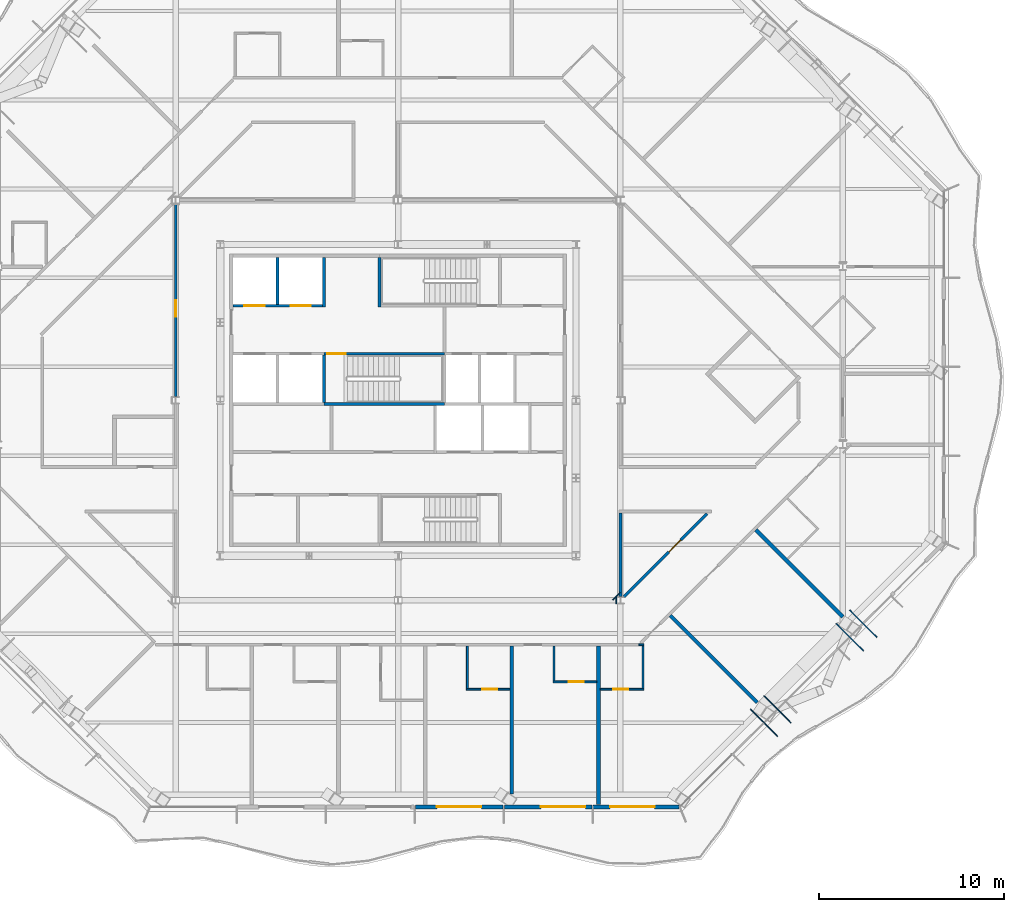
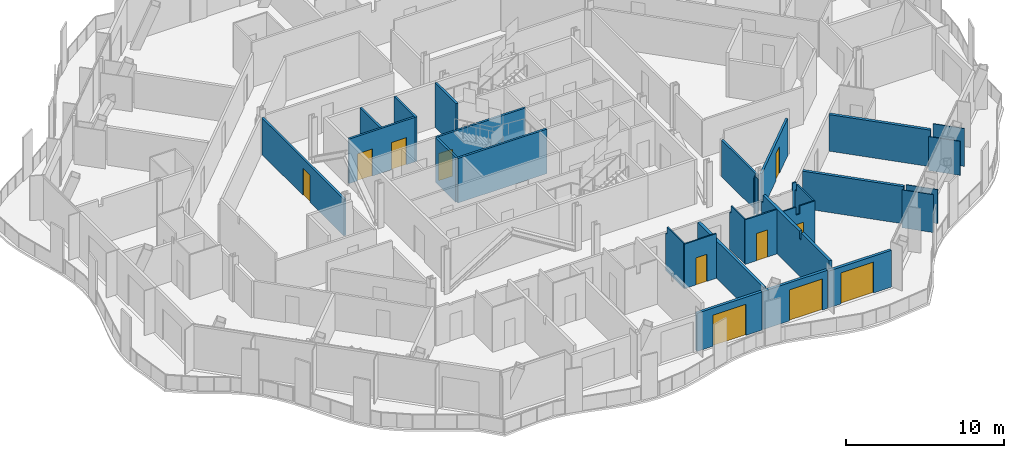
# One storey, part 9 of 21: 30 walls, 11 doors, 11 openings.
"""IFC4 building model written with IfcOpenShell, lengths in metres."""

from ifc_helpers import new_model, si_unit, direction, frame, frame_2d, origin, place, context, subcontext, project, spatial, polyline, rectangle, outline, extrude, material, layer, layer_set, type_object, element, fill, save


model = new_model("IFC4")

# Units and contexts
model_context = context("Model", 3, precision=1e-05, world=origin(), true_north=direction((0.0, 1.0)))
body_context = subcontext(model_context, "Body", "Model", "MODEL_VIEW")
ifc_project = project(units=[si_unit("LENGTHUNIT", "METRE"), si_unit("AREAUNIT", "SQUARE_METRE"), si_unit("VOLUMEUNIT", "CUBIC_METRE"), si_unit("PLANEANGLEUNIT", "RADIAN"), si_unit("MASSUNIT", "GRAM", prefix="KILO")], contexts=[model_context])

# Site, building, storey
site_placement = place(None, origin())
site = spatial("IfcSite", under=ifc_project, at=site_placement, CompositionType="ELEMENT")
building_placement = place(site_placement, origin())
building = spatial("IfcBuilding", under=site, at=building_placement, Name="Cairn Pilgrim Tower", CompositionType="ELEMENT")
storey_placement = place(building_placement, frame((0.0, 0.0, 179.39990234375)))
storey = spatial("IfcBuildingStorey", under=building, at=storey_placement, Name="L45", CompositionType="ELEMENT", Elevation=179.39990234375)

# Wall, opening, door
ifc_material_1 = material(Name="Bronze anodised aluminium insulated sandwich panel with mineral wool fill", Category="aluminium")
ifc_layer_1 = layer(ifc_material_1, 0.199951171875)
ifc_layer_set_1 = layer_set([ifc_layer_1], Name="BRONZE INFILL FRAME WALL 200")
wall_type_1 = type_object("IfcWallType", Name="BRONZE INFILL FRAME WALL 200", PredefinedType="NOTDEFINED", material=ifc_layer_set_1)
wall_1_placement = place(storey_placement, frame((8.1298828125, -19.550048828125, 0.0), z_axis=(0.0, 0.0, 1.0), x_axis=(1.0, 0.0, 0.0)))
wall_1 = element("IfcWall", 1, at=wall_1_placement, inside=storey, type_object=wall_type_1, Name="Bronze infill frame wall IW-S4", PredefinedType="NOTDEFINED", context=body_context, shape_type="SweptSolid", body=[
    extrude(rectangle(XDim=4.740234375, YDim=0.199951171875, at=frame_2d((2.3701171875, 0.0))), origin(), (0.0, 0.0, 1.0), 2.9501953125),
])
opening_1_placement = place(wall_1_placement, frame((1.16943359375, 0.0, 0.0)))
opening_1 = element("IfcOpeningElement", 2, at=opening_1_placement, cuts=wall_1, Name="Opening 4501B", PredefinedType="OPENING", context=body_context, shape_type="SweptSolid", body=[
    extrude(rectangle(XDim=2.39990234375, YDim=2.39990234375, at=frame_2d((1.199951171875, 1.199951171875))), frame((0.0, 0.10986328125, 0.0), z_axis=(0.0, -1.0, 0.0), x_axis=(1.0, 0.0, 0.0)), (0.0, 0.0, 1.0), 0.219970703125),
])
ifc_material_2 = material(Name="Bronze anodised aluminium frame with tinted low-E glass", Category="aluminium")
door_type_1 = type_object("IfcDoorType", Name="BALCONY SLIDING DOOR 2400x2400", OperationType="DOUBLE_DOOR_SLIDING", PredefinedType="DOOR", material=ifc_material_2)
door_1_placement = place(opening_1_placement, origin())
door_1 = element("IfcDoor", 3, at=door_1_placement, inside=storey, type_object=door_type_1, Name="Balcony sliding door 4501B", OperationType="SINGLE_SWING_LEFT", OverallHeight=2.39990234375, OverallWidth=2.39990234375, PredefinedType="DOOR", context=body_context, shape_type="SweptSolid", body=[
    extrude(rectangle(XDim=2.39990234375, YDim=2.39990234375, at=frame_2d((1.199951171875, 1.199951171875))), frame((0.0, 0.02490234375, 0.0), z_axis=(0.0, -1.0, 0.0), x_axis=(1.0, 0.0, 0.0)), (0.0, 0.0, 1.0), 0.050048828125),
])
fill(opening_1, door_1)

wall_2_placement = place(storey_placement, frame((12.929931640625, -19.550048828125, 0.0), z_axis=(0.0, 0.0, 1.0), x_axis=(1.0, 0.0, 0.0)))
wall_2 = element("IfcWall", 4, at=wall_2_placement, inside=storey, type_object=wall_type_1, Name="Bronze infill frame wall IW-S5", PredefinedType="NOTDEFINED", context=body_context, shape_type="SweptSolid", body=[
    extrude(rectangle(XDim=4.739990234375, YDim=0.199951171875, at=frame_2d((2.3701171875, 0.0))), origin(), (0.0, 0.0, 1.0), 2.9501953125),
])
opening_2_placement = place(wall_2_placement, frame((1.97021484375, 0.0, 0.0)))
opening_2 = element("IfcOpeningElement", 5, at=opening_2_placement, cuts=wall_2, Name="Opening 4502B", PredefinedType="OPENING", context=body_context, shape_type="SweptSolid", body=[
    extrude(rectangle(XDim=2.39990234375, YDim=2.39990234375, at=frame_2d((1.199951171875, 1.199951171875))), frame((0.0, 0.10986328125, 0.0), z_axis=(0.0, -1.0, 0.0), x_axis=(1.0, 0.0, 0.0)), (0.0, 0.0, 1.0), 0.219970703125),
])
door_2_placement = place(opening_2_placement, origin())
door_2 = element("IfcDoor", 6, at=door_2_placement, inside=storey, type_object=door_type_1, Name="Balcony sliding door 4502B", OperationType="SINGLE_SWING_LEFT", OverallHeight=2.39990234375, OverallWidth=2.39990234375, PredefinedType="DOOR", context=body_context, shape_type="SweptSolid", body=[
    extrude(rectangle(XDim=2.39990234375, YDim=2.39990234375, at=frame_2d((1.199951171875, 1.199951171875))), frame((0.0, 0.02490234375, 0.0), z_axis=(0.0, -1.0, 0.0), x_axis=(1.0, 0.0, 0.0)), (0.0, 0.0, 1.0), 0.050048828125),
])
fill(opening_2, door_2)

wall_3_placement = place(storey_placement, frame((17.72998046875, -19.550048828125, 0.0), z_axis=(0.0, 0.0, 1.0), x_axis=(1.0, 0.0, 0.0)))
wall_3 = element("IfcWall", 7, at=wall_3_placement, inside=storey, type_object=wall_type_1, Name="Bronze infill frame wall IW-S6", PredefinedType="NOTDEFINED", context=body_context, shape_type="SweptSolid", body=[
    extrude(rectangle(XDim=4.62646484375, YDim=0.199951171875, at=frame_2d((2.313232421875, 0.0))), origin(), (0.0, 0.0, 1.0), 2.85009765625),
])
opening_3_placement = place(wall_3_placement, frame((0.91796875, 0.0, 0.0)))
opening_3 = element("IfcOpeningElement", 8, at=opening_3_placement, cuts=wall_3, Name="Opening 4503B", PredefinedType="OPENING", context=body_context, shape_type="SweptSolid", body=[
    extrude(rectangle(XDim=2.39990234375, YDim=2.39990234375, at=frame_2d((1.199951171875, 1.199951171875))), frame((0.0, 0.10986328125, 0.0), z_axis=(0.0, -1.0, 0.0), x_axis=(1.0, 0.0, 0.0)), (0.0, 0.0, 1.0), 0.219970703125),
])
door_3_placement = place(opening_3_placement, origin())
door_3 = element("IfcDoor", 9, at=door_3_placement, inside=storey, type_object=door_type_1, Name="Balcony sliding door 4503B", OperationType="SINGLE_SWING_LEFT", OverallHeight=2.39990234375, OverallWidth=2.39990234375, PredefinedType="DOOR", context=body_context, shape_type="SweptSolid", body=[
    extrude(rectangle(XDim=2.39990234375, YDim=2.39990234375, at=frame_2d((1.199951171875, 1.199951171875))), frame((0.0, 0.02490234375, 0.0), z_axis=(0.0, -1.0, 0.0), x_axis=(1.0, 0.0, 0.0)), (0.0, 0.0, 1.0), 0.050048828125),
])
fill(opening_3, door_3)

# Wall, openings, doors
ifc_material_3 = material(Name="Concrete C32/40", Category="concrete")
ifc_layer_2 = layer(ifc_material_3, 0.14990234375)
ifc_layer_set_2 = layer_set([ifc_layer_2], Name="CORE SHAFT WALL 150 EI 120")
wall_type_2 = type_object("IfcWallType", Name="CORE SHAFT WALL 150 EI 120", PredefinedType="SOLIDWALL", material=ifc_layer_set_2)
wall_4_placement = place(storey_placement, frame((-1.699951171875, 7.5, 0.0), z_axis=(0.0, 0.0, 1.0), x_axis=(1.0, 0.0, 0.0)))
wall_4 = element("IfcWall", 10, at=wall_4_placement, inside=storey, type_object=wall_type_2, Name="CW:L45:H10", PredefinedType="SOLIDWALL", context=body_context, shape_type="SweptSolid", body=[
    extrude(rectangle(XDim=4.824951171875, YDim=0.14990234375, at=frame_2d((2.41259765625, 0.0))), origin(), (0.0, 0.0, 1.0), 3.4501953125),
])
opening_4_placement = place(wall_4_placement, frame((0.60009765625, 0.0, 0.0)))
opening_4 = element("IfcOpeningElement", 11, at=opening_4_placement, cuts=wall_4, Name="Opening LD-HR3", PredefinedType="OPENING", context=body_context, shape_type="SweptSolid", body=[
    extrude(rectangle(XDim=1.10009765625, YDim=2.10009765625, at=frame_2d((0.550048828125, 1.050048828125))), frame((0.0, 0.0849609375, 0.0), z_axis=(0.0, -1.0, 0.0), x_axis=(1.0, 0.0, 0.0)), (0.0, 0.0, 1.0), 0.169921875),
])
opening_5_placement = place(wall_4_placement, frame((3.10009765625, 0.0, 0.0)))
opening_5 = element("IfcOpeningElement", 12, at=opening_5_placement, cuts=wall_4, Name="Opening LD-HR4", PredefinedType="OPENING", context=body_context, shape_type="SweptSolid", body=[
    extrude(rectangle(XDim=1.10009765625, YDim=2.10009765625, at=frame_2d((0.550048828125, 1.050048828125))), frame((0.0, 0.0849609375, 0.0), z_axis=(0.0, -1.0, 0.0), x_axis=(1.0, 0.0, 0.0)), (0.0, 0.0, 1.0), 0.169921875),
])
ifc_material_4 = material(Name="Stainless steel", Category="steel")
door_type_2 = type_object("IfcDoorType", Name="LIFT LANDING DOOR 1100x2100", OperationType="DOUBLE_DOOR_SLIDING", PredefinedType="DOOR", material=ifc_material_4)
door_4_placement = place(opening_4_placement, origin())
door_4 = element("IfcDoor", 13, at=door_4_placement, inside=storey, type_object=door_type_2, Name="LANDING DOOR HR3", OperationType="DOUBLE_DOOR_SLIDING", OverallHeight=2.10009765625, OverallWidth=1.10009765625, PredefinedType="DOOR", context=body_context, shape_type="SweptSolid", body=[
    extrude(rectangle(XDim=1.10009765625, YDim=2.10009765625, at=frame_2d((0.550048828125, 1.050048828125))), frame((0.0, 0.02490234375, 0.0), z_axis=(0.0, -1.0, 0.0), x_axis=(1.0, 0.0, 0.0)), (0.0, 0.0, 1.0), 0.050048828125),
])
fill(opening_4, door_4)
door_5_placement = place(opening_5_placement, origin())
door_5 = element("IfcDoor", 14, at=door_5_placement, inside=storey, type_object=door_type_2, Name="LANDING DOOR HR4", OperationType="DOUBLE_DOOR_SLIDING", OverallHeight=2.10009765625, OverallWidth=1.10009765625, PredefinedType="DOOR", context=body_context, shape_type="SweptSolid", body=[
    extrude(rectangle(XDim=1.10009765625, YDim=2.10009765625, at=frame_2d((0.550048828125, 1.050048828125))), frame((0.0, 0.02490234375, 0.0), z_axis=(0.0, -1.0, 0.0), x_axis=(1.0, 0.0, 0.0)), (0.0, 0.0, 1.0), 0.050048828125),
])
fill(opening_5, door_5)

# Walls
wall_5_placement = place(storey_placement, frame((0.699951171875, 7.574951171875, 0.0), z_axis=(0.0, 0.0, 1.0), x_axis=(0.0, 1.0, 0.0)))
element("IfcWall", 15, at=wall_5_placement, inside=storey, type_object=wall_type_2, Name="CW:L45:V15", PredefinedType="SOLIDWALL", context=body_context, shape_type="SweptSolid", body=[
    extrude(rectangle(XDim=2.525146484375, YDim=0.14990234375, at=frame_2d((1.2626953125, 0.0))), origin(), (0.0, 0.0, 1.0), 3.4501953125),
])
wall_6_placement = place(storey_placement, frame((3.199951171875, 7.425048828125, 0.0), z_axis=(0.0, 0.0, 1.0), x_axis=(0.0, 1.0, 0.0)))
element("IfcWall", 16, at=wall_6_placement, inside=storey, type_object=wall_type_2, Name="CW:L45:V18", PredefinedType="SOLIDWALL", context=body_context, shape_type="SweptSolid", body=[
    extrude(rectangle(XDim=2.675048828125, YDim=0.14990234375, at=frame_2d((1.33740234375, 0.0))), origin(), (0.0, 0.0, 1.0), 3.4501953125),
])

# Wall, opening, door
ifc_material_5 = material(Name="Gypsum partition")
ifc_layer_3 = layer(ifc_material_5, 0.10009765625)
ifc_layer_set_3 = layer_set([ifc_layer_3], Name="PARTITION 100 DRYWALL")
wall_type_3 = type_object("IfcWallType", Name="PARTITION 100 DRYWALL", PredefinedType="PARTITIONING", material=ifc_layer_set_3)
wall_7_placement = place(storey_placement, frame((10.887939453125, -13.199951171875, 0.0), z_axis=(0.0, 0.0, 1.0), x_axis=(1.0, 0.0, 0.0)))
wall_7 = element("IfcWall", 17, at=wall_7_placement, inside=storey, type_object=wall_type_3, Name="PARTITION W013", PredefinedType="PARTITIONING", context=body_context, shape_type="SweptSolid", body=[
    extrude(rectangle(XDim=2.35009765625, YDim=0.10009765625, at=frame_2d((1.175048828125, 0.0))), origin(), (0.0, 0.0, 1.0), 3.4501953125),
])
opening_6_placement = place(wall_7_placement, frame((0.85009765625, 0.0, 0.0)))
opening_6 = element("IfcOpeningElement", 18, at=opening_6_placement, cuts=wall_7, Name="Opening 4501A", PredefinedType="OPENING", context=body_context, shape_type="SweptSolid", body=[
    extrude(rectangle(XDim=0.800048828125, YDim=2.10009765625, at=frame_2d((0.39990234375, 1.050048828125))), frame((0.0, 0.06005859375, 0.0), z_axis=(0.0, -1.0, 0.0), x_axis=(1.0, 0.0, 0.0)), (0.0, 0.0, 1.0), 0.1201171875),
])
ifc_material_6 = material(Name="Timber door leaf", Category="wood")
door_type_3 = type_object("IfcDoorType", Name="WC DOOR 800x2100", OperationType="NOTDEFINED", PredefinedType="DOOR", material=ifc_material_6)
door_6_placement = place(opening_6_placement, frame((0.800048828125, 0.0, 0.0), z_axis=(0.0, 0.0, 1.0), x_axis=(-1.0, 0.0, 0.0)))
door_6 = element("IfcDoor", 19, at=door_6_placement, inside=storey, type_object=door_type_3, Name="DOOR 4501A", OperationType="SINGLE_SWING_RIGHT", OverallHeight=2.10009765625, OverallWidth=0.800048828125, PredefinedType="DOOR", context=body_context, shape_type="SweptSolid", body=[
    extrude(rectangle(XDim=0.800048828125, YDim=2.10009765625, at=frame_2d((0.39990234375, 1.050048828125))), frame((0.0, 0.02490234375, 0.0), z_axis=(0.0, -1.0, 0.0), x_axis=(1.0, 0.0, 0.0)), (0.0, 0.0, 1.0), 0.050048828125),
])
fill(opening_6, door_6)

# Wall
wall_8_placement = place(storey_placement, frame((10.93798828125, -13.14990234375, 0.0), z_axis=(0.0, 0.0, 1.0), x_axis=(0.0, 1.0, 0.0)))
element("IfcWall", 20, at=wall_8_placement, inside=storey, type_object=wall_type_3, Name="PARTITION W014", PredefinedType="PARTITIONING", context=body_context, shape_type="SweptSolid", body=[
    extrude(outline(polyline([(0.0, 0.0), (2.27490234375, 0.0), (2.27490234375, 2.880126953125), (2.094970703125, 2.880126953125), (2.093017578125, 3.4501953125), (0.0, 3.4501953125), (0.0, 0.0)])), frame((0.0, 0.050048828125, 0.0), z_axis=(0.0, -1.0, 0.0), x_axis=(1.0, 0.0, 0.0)), (0.0, 0.0, 1.0), 0.10009765625),
])

# Wall, opening, door
wall_9_placement = place(storey_placement, frame((18.114013671875, -13.199951171875, 0.0), z_axis=(0.0, 0.0, 1.0), x_axis=(1.0, 0.0, 0.0)))
wall_9 = element("IfcWall", 21, at=wall_9_placement, inside=storey, type_object=wall_type_3, Name="PARTITION W015", PredefinedType="PARTITIONING", context=body_context, shape_type="SweptSolid", body=[
    extrude(outline(polyline([(0.0, 0.0), (2.35009765625, 0.0), (2.35009765625, 3.4501953125), (1.236083984375, 3.4501953125), (1.23388671875, 2.830078125), (0.93603515625, 2.830078125), (0.93408203125, 3.4501953125), (0.0, 3.4501953125), (0.0, 0.0)])), frame((0.0, 0.050048828125, 0.0), z_axis=(0.0, -1.0, 0.0), x_axis=(1.0, 0.0, 0.0)), (0.0, 0.0, 1.0), 0.10009765625),
])
opening_7_placement = place(wall_9_placement, frame((0.699951171875, 0.0, 0.0)))
opening_7 = element("IfcOpeningElement", 22, at=opening_7_placement, cuts=wall_9, Name="Opening 4503A", PredefinedType="OPENING", context=body_context, shape_type="SweptSolid", body=[
    extrude(rectangle(XDim=0.800048828125, YDim=2.10009765625, at=frame_2d((0.39990234375, 1.050048828125))), frame((0.0, 0.06005859375, 0.0), z_axis=(0.0, -1.0, 0.0), x_axis=(1.0, 0.0, 0.0)), (0.0, 0.0, 1.0), 0.1201171875),
])
door_7_placement = place(opening_7_placement, frame((0.800048828125, 0.0, 0.0), z_axis=(0.0, 0.0, 1.0), x_axis=(-1.0, 0.0, 0.0)))
door_7 = element("IfcDoor", 23, at=door_7_placement, inside=storey, type_object=door_type_3, Name="DOOR 4503A", OperationType="SINGLE_SWING_RIGHT", OverallHeight=2.10009765625, OverallWidth=0.800048828125, PredefinedType="DOOR", context=body_context, shape_type="SweptSolid", body=[
    extrude(rectangle(XDim=0.800048828125, YDim=2.10009765625, at=frame_2d((0.39990234375, 1.050048828125))), frame((0.0, 0.02490234375, 0.0), z_axis=(0.0, -1.0, 0.0), x_axis=(1.0, 0.0, 0.0)), (0.0, 0.0, 1.0), 0.050048828125),
])
fill(opening_7, door_7)

# Wall
wall_10_placement = place(storey_placement, frame((20.4140625, -13.14990234375, 0.0), z_axis=(0.0, 0.0, 1.0), x_axis=(0.0, 1.0, 0.0)))
element("IfcWall", 24, at=wall_10_placement, inside=storey, type_object=wall_type_3, Name="PARTITION W016", PredefinedType="PARTITIONING", context=body_context, shape_type="SweptSolid", body=[
    extrude(outline(polyline([(0.0, 0.0), (2.2998046875, 0.0), (2.300048828125, 2.880126953125), (2.094970703125, 2.880126953125), (2.093017578125, 3.4501953125), (0.0, 3.4501953125), (0.0, 0.0)])), frame((0.0, 0.050048828125, 0.0), z_axis=(0.0, -1.0, 0.0), x_axis=(1.0, 0.0, 0.0)), (0.0, 0.0, 1.0), 0.10009765625),
])

# Wall, opening, door
wall_11_placement = place(storey_placement, frame((15.56396484375, -12.800048828125, 0.0), z_axis=(0.0, 0.0, 1.0), x_axis=(1.0, 0.0, 0.0)))
wall_11 = element("IfcWall", 25, at=wall_11_placement, inside=storey, type_object=wall_type_3, Name="PARTITION W019", PredefinedType="PARTITIONING", context=body_context, shape_type="SweptSolid", body=[
    extrude(rectangle(XDim=2.35009765625, YDim=0.10009765625, at=frame_2d((1.175048828125, 0.0))), origin(), (0.0, 0.0, 1.0), 3.4501953125),
])
opening_8_placement = place(wall_11_placement, frame((0.85009765625, 0.0, 0.0)))
opening_8 = element("IfcOpeningElement", 26, at=opening_8_placement, cuts=wall_11, Name="Opening 4502A", PredefinedType="OPENING", context=body_context, shape_type="SweptSolid", body=[
    extrude(rectangle(XDim=0.800048828125, YDim=2.10009765625, at=frame_2d((0.39990234375, 1.050048828125))), frame((0.0, 0.06005859375, 0.0), z_axis=(0.0, -1.0, 0.0), x_axis=(1.0, 0.0, 0.0)), (0.0, 0.0, 1.0), 0.1201171875),
])
door_8_placement = place(opening_8_placement, frame((0.800048828125, 0.0, 0.0), z_axis=(0.0, 0.0, 1.0), x_axis=(-1.0, 0.0, 0.0)))
door_8 = element("IfcDoor", 27, at=door_8_placement, inside=storey, type_object=door_type_3, Name="DOOR 4502A", OperationType="SINGLE_SWING_RIGHT", OverallHeight=2.10009765625, OverallWidth=0.800048828125, PredefinedType="DOOR", context=body_context, shape_type="SweptSolid", body=[
    extrude(rectangle(XDim=0.800048828125, YDim=2.10009765625, at=frame_2d((0.39990234375, 1.050048828125))), frame((0.0, 0.02490234375, 0.0), z_axis=(0.0, -1.0, 0.0), x_axis=(1.0, 0.0, 0.0)), (0.0, 0.0, 1.0), 0.050048828125),
])
fill(opening_8, door_8)

# Walls
wall_12_placement = place(storey_placement, frame((15.614013671875, -12.75, 0.0), z_axis=(0.0, 0.0, 1.0), x_axis=(0.0, 1.0, 0.0)))
element("IfcWall", 28, at=wall_12_placement, inside=storey, type_object=wall_type_3, Name="PARTITION W020", PredefinedType="PARTITIONING", context=body_context, shape_type="SweptSolid", body=[
    extrude(outline(polyline([(0.0, 0.0), (1.875, 0.0), (1.875, 2.880126953125), (1.695068359375, 2.880126953125), (1.693115234375, 3.4501953125), (0.0, 3.4501953125), (0.0, 0.0)])), frame((0.0, 0.050048828125, 0.0), z_axis=(0.0, -1.0, 0.0), x_axis=(1.0, 0.0, 0.0)), (0.0, 0.0, 1.0), 0.10009765625),
])
wall_13_placement = place(storey_placement, frame((20.194091796875, -10.800048828125, 0.0), z_axis=(0.0, 0.0, 1.0), x_axis=(1.0, 0.0, 0.0)))
element("IfcWall", 29, at=wall_13_placement, inside=storey, type_object=wall_type_3, Name="PARTITION W022", PredefinedType="PARTITIONING", context=body_context, shape_type="SweptSolid", body=[
    extrude(rectangle(XDim=0.27001953125, YDim=0.10009765625, at=frame_2d((0.135009765625, 0.0))), origin(), (0.0, 0.0, 1.0), 3.4501953125),
])
ifc_layer_4 = layer(ifc_material_5, 0.14990234375)
ifc_layer_set_4 = layer_set([ifc_layer_4], Name="PARTITION 150 DRYWALL EI 60")
wall_type_4 = type_object("IfcWallType", Name="PARTITION 150 DRYWALL EI 60", PredefinedType="PARTITIONING", material=ifc_layer_set_4)
wall_14_placement = place(storey_placement, frame((19.199951171875, -8.20361328125, 0.0), z_axis=(0.0, 0.0, 1.0), x_axis=(0.0, 1.0, 0.0)))
element("IfcWall", 30, at=wall_14_placement, inside=storey, type_object=wall_type_4, Name="PARTITION W030", PredefinedType="PARTITIONING", context=body_context, shape_type="SweptSolid", body=[
    extrude(rectangle(XDim=4.528564453125, YDim=0.14990234375, at=frame_2d((2.26416015625, 0.0))), origin(), (0.0, 0.0, 1.0), 2.830078125),
])

# Wall, opening, door
wall_15_placement = place(storey_placement, frame((19.39794921875, -8.201904296875, 0.0), z_axis=(0.0, 0.0, 1.0), x_axis=(0.707106781187, 0.707106781187, 0.0)))
wall_15 = element("IfcWall", 31, at=wall_15_placement, inside=storey, type_object=wall_type_4, Name="PARTITION W031", PredefinedType="PARTITIONING", context=body_context, shape_type="SweptSolid", body=[
    extrude(rectangle(XDim=6.326904296875, YDim=0.14990234375, at=frame_2d((3.16357421875, 0.0))), origin(), (0.0, 0.0, 1.0), 2.880126953125),
])
opening_9_placement = place(wall_15_placement, frame((3.41455078125, 0.0, 0.0)))
opening_9 = element("IfcOpeningElement", 32, at=opening_9_placement, cuts=wall_15, Name="Opening 4523", PredefinedType="OPENING", context=body_context, shape_type="SweptSolid", body=[
    extrude(rectangle(XDim=0.89990234375, YDim=2.10009765625, at=frame_2d((0.449951171875, 1.050048828125))), frame((0.0, 0.0849609375, 0.0), z_axis=(0.0, -1.0, 0.0), x_axis=(1.0, 0.0, 0.0)), (0.0, 0.0, 1.0), 0.169921875),
])
door_type_4 = type_object("IfcDoorType", Name="SERVICE DOOR 900x2100 FD30S", OperationType="NOTDEFINED", PredefinedType="DOOR", material=ifc_material_6)
door_9_placement = place(opening_9_placement, origin())
door_9 = element("IfcDoor", 33, at=door_9_placement, inside=storey, type_object=door_type_4, Name="DOOR 4523", OperationType="SINGLE_SWING_RIGHT", OverallHeight=2.10009765625, OverallWidth=0.89990234375, PredefinedType="DOOR", context=body_context, shape_type="SweptSolid", body=[
    extrude(rectangle(XDim=0.89990234375, YDim=2.10009765625, at=frame_2d((0.449951171875, 1.050048828125))), frame((0.0, 0.02490234375, 0.0), z_axis=(0.0, -1.0, 0.0), x_axis=(1.0, 0.0, 0.0)), (0.0, 0.0, 1.0), 0.050048828125),
])
fill(opening_9, door_9)

wall_16_placement = place(storey_placement, frame((-4.800048828125, 2.596435546875, 0.0), z_axis=(0.0, 0.0, 1.0), x_axis=(0.0, 1.0, 0.0)))
wall_16 = element("IfcWall", 34, at=wall_16_placement, inside=storey, type_object=wall_type_4, Name="PARTITION W053", PredefinedType="PARTITIONING", context=body_context, shape_type="SweptSolid", body=[
    extrude(rectangle(XDim=10.406982421875, YDim=0.14990234375, at=frame_2d((5.20361328125, 0.0))), origin(), (0.0, 0.0, 1.0), 2.830078125),
])
opening_10_placement = place(wall_16_placement, frame((4.303466796875, 0.0, 0.0)))
opening_10 = element("IfcOpeningElement", 35, at=opening_10_placement, cuts=wall_16, Name="Opening 4527", PredefinedType="OPENING", context=body_context, shape_type="SweptSolid", body=[
    extrude(rectangle(XDim=0.89990234375, YDim=2.10009765625, at=frame_2d((0.449951171875, 1.050048828125))), frame((0.0, 0.0849609375, 0.0), z_axis=(0.0, -1.0, 0.0), x_axis=(1.0, 0.0, 0.0)), (0.0, 0.0, 1.0), 0.169921875),
])
door_10_placement = place(opening_10_placement, origin())
door_10 = element("IfcDoor", 36, at=door_10_placement, inside=storey, type_object=door_type_4, Name="DOOR 4527", OperationType="SINGLE_SWING_RIGHT", OverallHeight=2.10009765625, OverallWidth=0.89990234375, PredefinedType="DOOR", context=body_context, shape_type="SweptSolid", body=[
    extrude(rectangle(XDim=0.89990234375, YDim=2.10009765625, at=frame_2d((0.449951171875, 1.050048828125))), frame((0.0, 0.02490234375, 0.0), z_axis=(0.0, -1.0, 0.0), x_axis=(1.0, 0.0, 0.0)), (0.0, 0.0, 1.0), 0.050048828125),
])
fill(opening_10, door_10)

# Walls
ifc_layer_5 = layer(ifc_material_5, 0.050048828125)
ifc_layer_set_5 = layer_set([ifc_layer_5], Name="PARTITION 50 DRYWALL EI 60")
wall_type_5 = type_object("IfcWallType", Name="PARTITION 50 DRYWALL EI 60", PredefinedType="PARTITIONING", material=ifc_layer_set_5)
wall_17_placement = place(storey_placement, frame((27.6826171875, -15.7470703125, 0.0), z_axis=(0.0, 0.0, 1.0), x_axis=(-0.707106781187, 0.707106781187, 0.0)))
element("IfcWall", 37, at=wall_17_placement, inside=storey, type_object=wall_type_5, Name="COLUMN CASING WC03", PredefinedType="PARTITIONING", context=body_context, shape_type="SweptSolid", body=[
    extrude(rectangle(XDim=2.072021484375, YDim=0.050048828125, at=frame_2d((1.0361328125, 0.0))), origin(), (0.0, 0.0, 1.0), 2.93017578125),
])
for number, where, z_axis, x_axis, name in (
    (38, (28.410400390625, -15.019287109375, 0.0), (0.0, 0.0, 1.0), (-0.707106781187, 0.707106781187, 0.0), "COLUMN CASING WC04"),
    (39, (32.306884765625, -11.122802734375, 0.0), (0.0, 0.0, 1.0), (-0.707106781187, 0.707106781187, 0.0), "COLUMN CASING WC08"),
):
    element("IfcWall", number, at=place(storey_placement, frame(where, z_axis=z_axis, x_axis=x_axis)), inside=storey, type_object=wall_type_5, Name=name, PredefinedType="PARTITIONING", context=body_context, shape_type="SweptSolid", body=[
        extrude(rectangle(XDim=2.072021484375, YDim=0.050048828125, at=frame_2d((1.0361328125, 0.0))), origin(), (0.0, 0.0, 1.0), 2.630126953125),
    ])
wall_18_placement = place(storey_placement, frame((33.03466796875, -10.395263671875, 0.0), z_axis=(0.0, 0.0, 1.0), x_axis=(-0.707106781187, 0.707106781187, 0.0)))
element("IfcWall", 40, at=wall_18_placement, inside=storey, type_object=wall_type_5, Name="COLUMN CASING WC09", PredefinedType="PARTITIONING", context=body_context, shape_type="SweptSolid", body=[
    extrude(rectangle(XDim=2.072021484375, YDim=0.050048828125, at=frame_2d((1.0361328125, 0.0))), origin(), (0.0, 0.0, 1.0), 2.93017578125),
])
wall_19_placement = place(storey_placement, frame((18.786376953125, -8.38232421875, 0.0), z_axis=(0.0, 0.0, 1.0), x_axis=(0.707106781187, 0.707106781187, 0.0)))
element("IfcWall", 41, at=wall_19_placement, inside=storey, type_object=wall_type_5, Name="COLUMN CASING WC11", PredefinedType="PARTITIONING", context=body_context, shape_type="SweptSolid", body=[
    extrude(rectangle(XDim=0.56005859375, YDim=0.050048828125, at=frame_2d((0.280029296875, 0.0))), origin(), (0.0, 0.0, 1.0), 2.830078125),
])
wall_20_placement = place(storey_placement, frame((18.9755859375, -8.596435546875, 0.0), z_axis=(0.0, 0.0, 1.0), x_axis=(0.0, 1.0, 0.0)))
element("IfcWall", 42, at=wall_20_placement, inside=storey, type_object=wall_type_5, Name="COLUMN CASING WC13", PredefinedType="PARTITIONING", context=body_context, shape_type="SweptSolid", body=[
    extrude(rectangle(XDim=0.392822265625, YDim=0.050048828125, at=frame_2d((0.1962890625, 0.0))), origin(), (0.0, 0.0, 1.0), 2.830078125),
])
ifc_layer_6 = layer(ifc_material_5, 0.199951171875)
ifc_layer_set_6 = layer_set([ifc_layer_6], Name="SHAFT WALL 200 GYPSUM EI 60")
wall_type_6 = type_object("IfcWallType", Name="SHAFT WALL 200 GYPSUM EI 60", PredefinedType="PARTITIONING", material=ifc_layer_set_6)
wall_21_placement = place(storey_placement, frame((18.013916015625, -19.419921875, 0.0), z_axis=(0.0, 0.0, 1.0), x_axis=(0.0, 1.0, 0.0)))
element("IfcWall", 43, at=wall_21_placement, inside=storey, type_object=wall_type_6, Name="PARTITION W003", PredefinedType="PARTITIONING", context=body_context, shape_type="SweptSolid", body=[
    extrude(outline(polyline([(0.0, 0.0), (8.544921875, 0.0), (8.544921875, 2.880126953125), (8.364990234375, 2.880126953125), (8.363037109375, 3.4501953125), (3.77490234375, 3.4501953125), (3.77294921875, 2.880126953125), (3.56494140625, 2.880126953125), (3.56298828125, 3.4501953125), (0.0, 3.4501953125), (0.0, 0.0)])), frame((0.0, 0.10009765625, 0.0), z_axis=(0.0, -1.0, 0.0), x_axis=(1.0, 0.0, 0.0)), (0.0, 0.0, 1.0), 0.199951171875),
])
wall_22_placement = place(storey_placement, frame((13.337890625, -19.182373046875, 0.0), z_axis=(0.0, 0.0, 1.0), x_axis=(0.0, 1.0, 0.0)))
element("IfcWall", 44, at=wall_22_placement, inside=storey, type_object=wall_type_6, Name="PARTITION W005", PredefinedType="PARTITIONING", context=body_context, shape_type="SweptSolid", body=[
    extrude(outline(polyline([(0.334716796875, 0.0), (8.307373046875, 0.0), (8.307373046875, 0.862548828125), (8.307373046875, 1.72509765625), (8.307373046875, 2.587646484375), (8.307373046875, 2.880126953125), (0.0, 2.880126953125), (0.0, 2.587646484375), (0.319091796875, 1.72509765625), (0.334716796875, 0.862548828125), (0.334716796875, 0.0)])), frame((0.0, 0.10009765625, 0.0), z_axis=(0.0, -1.0, 0.0), x_axis=(1.0, 0.0, 0.0)), (0.0, 0.0, 1.0), 0.199951171875),
])
wall_23_placement = place(storey_placement, frame((26.581787109375, -13.917724609375, 0.0), z_axis=(0.0, 0.0, 1.0), x_axis=(-0.707106781187, 0.707106781187, 0.0)))
element("IfcWall", 45, at=wall_23_placement, inside=storey, type_object=wall_type_6, Name="PARTITION W008", PredefinedType="PARTITIONING", context=body_context, shape_type="SweptSolid", body=[
    extrude(rectangle(XDim=6.646484375, YDim=0.199951171875, at=frame_2d((3.3232421875, 0.0))), origin(), (0.0, 0.0, 1.0), 2.880126953125),
])
wall_24_placement = place(storey_placement, frame((31.205810546875, -9.293701171875, 0.0), z_axis=(0.0, 0.0, 1.0), x_axis=(-0.707106781187, 0.707106781187, 0.0)))
element("IfcWall", 46, at=wall_24_placement, inside=storey, type_object=wall_type_6, Name="PARTITION W027", PredefinedType="PARTITIONING", context=body_context, shape_type="SweptSolid", body=[
    extrude(rectangle(XDim=6.646484375, YDim=0.199951171875, at=frame_2d((3.3232421875, 0.0))), origin(), (0.0, 0.0, 1.0), 2.830078125),
])
ifc_material_7 = material(Name="Concrete C35/45", Category="concrete")
ifc_layer_7 = layer(ifc_material_7, 0.14990234375)
ifc_layer_set_7 = layer_set([ifc_layer_7], Name="STAIR SHAFT WALL 150 EI 120")
wall_type_7 = type_object("IfcWallType", Name="STAIR SHAFT WALL 150 EI 120", PredefinedType="SOLIDWALL", material=ifc_layer_set_7)
wall_25_placement = place(storey_placement, frame((3.199951171875, 2.199951171875, 0.0), z_axis=(0.0, 0.0, 1.0), x_axis=(1.0, 0.0, 0.0)))
element("IfcWall", 47, at=wall_25_placement, inside=storey, type_object=wall_type_7, Name="CW:L45:H07-2", PredefinedType="SOLIDWALL", context=body_context, shape_type="SweptSolid", body=[
    extrude(rectangle(XDim=6.5, YDim=0.14990234375, at=frame_2d((3.25, 0.0))), origin(), (0.0, 0.0, 1.0), 3.4501953125),
])

# Wall, opening, door
wall_26_placement = place(storey_placement, frame((3.199951171875, 4.89990234375, 0.0), z_axis=(0.0, 0.0, 1.0), x_axis=(1.0, 0.0, 0.0)))
wall_26 = element("IfcWall", 48, at=wall_26_placement, inside=storey, type_object=wall_type_7, Name="CW:L45:H09-2", PredefinedType="SOLIDWALL", context=body_context, shape_type="SweptSolid", body=[
    extrude(rectangle(XDim=6.5, YDim=0.14990234375, at=frame_2d((3.25, 0.0))), origin(), (0.0, 0.0, 1.0), 3.4501953125),
])
opening_11_placement = place(wall_26_placement, frame((0.175048828125, 0.0, 0.0)))
opening_11 = element("IfcOpeningElement", 49, at=opening_11_placement, cuts=wall_26, Name="Opening SD-B", PredefinedType="OPENING", context=body_context, shape_type="SweptSolid", body=[
    extrude(rectangle(XDim=1.0, YDim=2.10009765625, at=frame_2d((0.5, 1.050048828125))), frame((0.0, 0.0849609375, 0.0), z_axis=(0.0, -1.0, 0.0), x_axis=(1.0, 0.0, 0.0)), (0.0, 0.0, 1.0), 0.169921875),
])
ifc_material_8 = material(Name="Painted steel", Category="steel")
door_type_5 = type_object("IfcDoorType", Name="STAIR DOOR FD60S 1000x2100", OperationType="SINGLE_SWING_LEFT", PredefinedType="DOOR", material=ifc_material_8)
door_11_placement = place(opening_11_placement, origin())
door_11 = element("IfcDoor", 50, at=door_11_placement, inside=storey, type_object=door_type_5, Name="SD-B", OperationType="SINGLE_SWING_RIGHT", OverallHeight=2.10009765625, OverallWidth=1.0, PredefinedType="DOOR", context=body_context, shape_type="SweptSolid", body=[
    extrude(rectangle(XDim=1.0, YDim=2.10009765625, at=frame_2d((0.5, 1.050048828125))), frame((0.0, 0.02490234375, 0.0), z_axis=(0.0, -1.0, 0.0), x_axis=(1.0, 0.0, 0.0)), (0.0, 0.0, 1.0), 0.050048828125),
])
fill(opening_11, door_11)

# Walls
wall_27_placement = place(storey_placement, frame((3.199951171875, 2.27490234375, 0.0), z_axis=(0.0, 0.0, 1.0), x_axis=(0.0, 1.0, 0.0)))
element("IfcWall", 51, at=wall_27_placement, inside=storey, type_object=wall_type_7, Name="CW:L45:V17", PredefinedType="SOLIDWALL", context=body_context, shape_type="SweptSolid", body=[
    extrude(rectangle(XDim=2.550048828125, YDim=0.14990234375, at=frame_2d((1.27490234375, 0.0))), origin(), (0.0, 0.0, 1.0), 3.4501953125),
])
wall_28_placement = place(storey_placement, frame((6.199951171875, 7.425048828125, 0.0), z_axis=(0.0, 0.0, 1.0), x_axis=(0.0, 1.0, 0.0)))
element("IfcWall", 52, at=wall_28_placement, inside=storey, type_object=wall_type_7, Name="CW:L45:V21", PredefinedType="SOLIDWALL", context=body_context, shape_type="SweptSolid", body=[
    extrude(rectangle(XDim=2.675048828125, YDim=0.14990234375, at=frame_2d((1.33740234375, 0.0))), origin(), (0.0, 0.0, 1.0), 3.4501953125),
])

save(model, "model.ifc")
